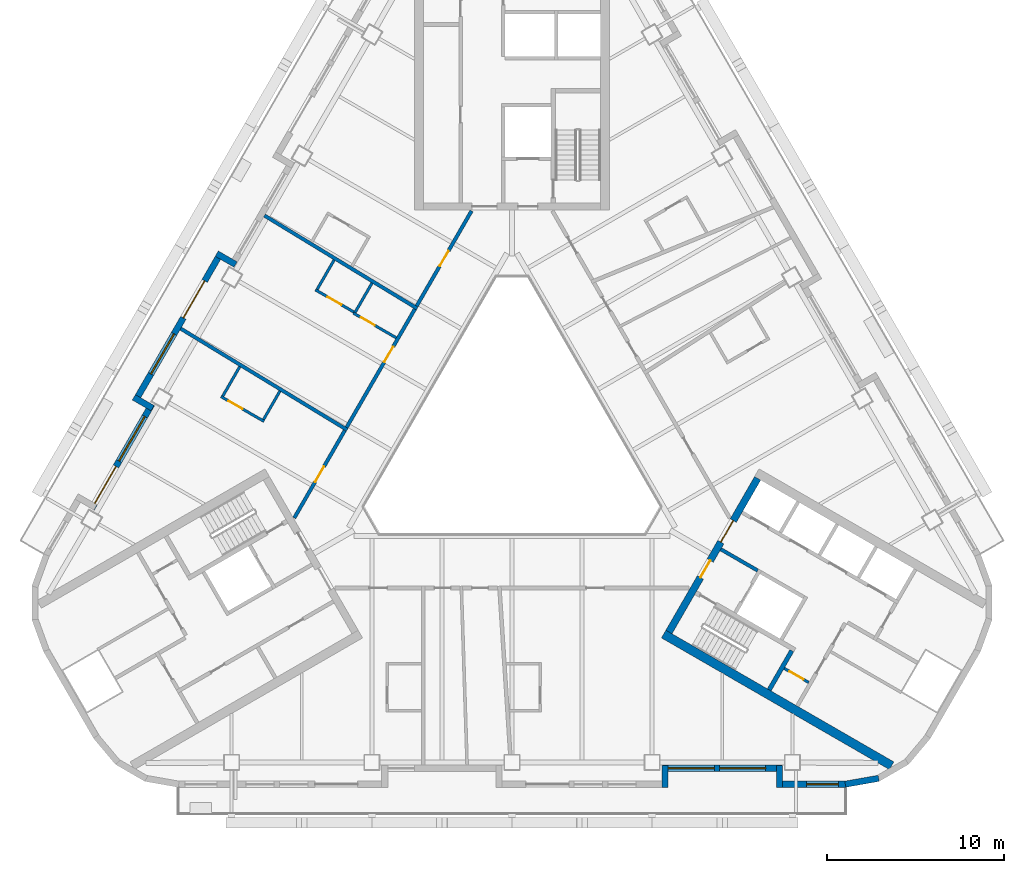
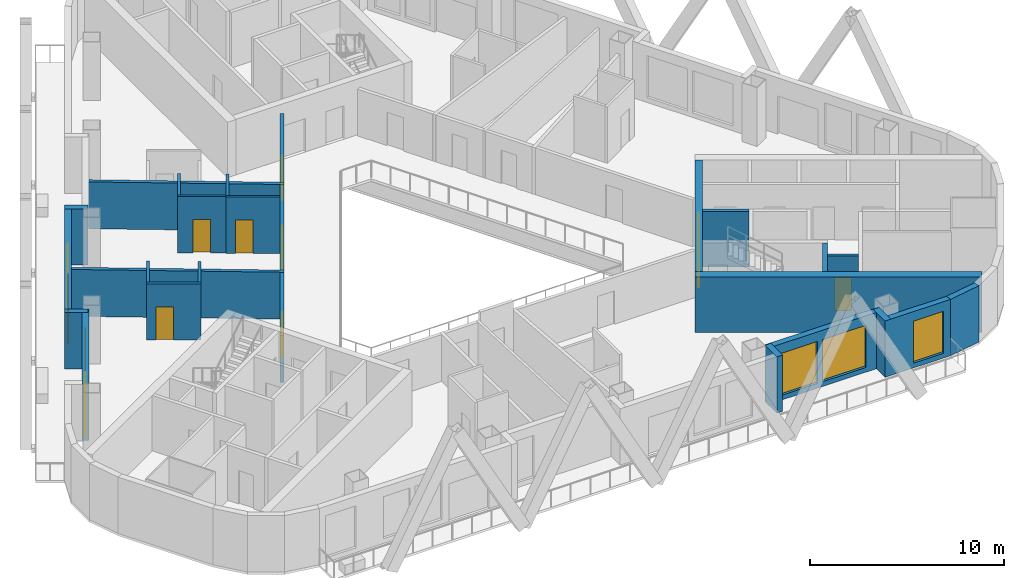
# One storey, part 4 of 13: 26 walls, 11 doors, 5 windows, 16 openings.
"""IFC4 building model written with IfcOpenShell, lengths in metres."""

from ifc_helpers import new_model, si_unit, direction, frame, frame_2d, origin, place, context, subcontext, project, spatial, rectangle, extrude, material, layer, layer_set, type_object, element, fill, save


model = new_model("IFC4")

# Units and contexts
model_context = context("Model", 3, precision=1e-05, world=origin(), true_north=direction((0.0, 1.0)))
body_context = subcontext(model_context, "Body", "Model", "MODEL_VIEW")
ifc_project = project(units=[si_unit("LENGTHUNIT", "METRE"), si_unit("AREAUNIT", "SQUARE_METRE"), si_unit("VOLUMEUNIT", "CUBIC_METRE"), si_unit("PLANEANGLEUNIT", "RADIAN"), si_unit("MASSUNIT", "GRAM", prefix="KILO")], contexts=[model_context])

# Site, building, storey
site_placement = place(None, origin())
site = spatial("IfcSite", under=ifc_project, at=site_placement, CompositionType="ELEMENT")
building_placement = place(site_placement, origin())
building = spatial("IfcBuilding", under=site, at=building_placement, Name="Apuvela Tower Hotel", CompositionType="ELEMENT")
storey_placement = place(building_placement, frame((0.0, 0.0, 105.699951171875)))
storey = spatial("IfcBuildingStorey", under=building, at=storey_placement, Name="L24", CompositionType="ELEMENT", Elevation=105.699951171875)

# Wall, openings, doors
ifc_material_1 = material(Name="Concrete C50/60", Category="concrete")
ifc_layer_1 = layer(ifc_material_1, 0.39990234375)
ifc_layer_set_1 = layer_set([ifc_layer_1], Name="COR-WALL-CORE-400")
wall_type_1 = type_object("IfcWallType", Name="COR-WALL-CORE-400", PredefinedType="SHEAR", material=ifc_layer_set_1)
wall_1_placement = place(storey_placement, frame((8.844970703125, -10.880126953125, 0.0), z_axis=(0.0, 0.0, 1.0), x_axis=(0.500004234368, 0.866022959057, 0.0)))
wall_1 = element("IfcWall", 1, at=wall_1_placement, inside=storey, type_object=wall_type_1, Name="Core wall SE", PredefinedType="SHEAR", context=body_context, shape_type="SweptSolid", body=[
    extrude(rectangle(XDim=10.0, YDim=0.39990234375, at=frame_2d((5.0, 0.0))), origin(), (0.0, 0.0, 1.0), 3.5),
])
opening_1_placement = place(wall_1_placement, frame((3.550048828125, 0.0, 0.0)))
opening_1 = element("IfcOpeningElement", 2, at=opening_1_placement, cuts=wall_1, Name="Opening E-FD", PredefinedType="OPENING", context=body_context, shape_type="SweptSolid", body=[
    extrude(rectangle(XDim=1.10009765625, YDim=2.10009765625, at=frame_2d((0.550048828125, 1.050048828125))), frame((0.0, 0.2099609375, 0.0), z_axis=(0.0, -1.0, 0.0), x_axis=(1.0, 0.0, 0.0)), (0.0, 0.0, 1.0), 0.419921875),
])
opening_2_placement = place(wall_1_placement, frame((5.85009765625, 0.0, 0.0)))
opening_2 = element("IfcOpeningElement", 3, at=opening_2_placement, cuts=wall_1, Name="Opening E-GD", PredefinedType="OPENING", context=body_context, shape_type="SweptSolid", body=[
    extrude(rectangle(XDim=1.39990234375, YDim=2.10009765625, at=frame_2d((0.699951171875, 1.050048828125))), frame((0.0, 0.2099609375, 0.0), z_axis=(0.0, -1.0, 0.0), x_axis=(1.0, 0.0, 0.0)), (0.0, 0.0, 1.0), 0.419921875),
])
ifc_material_2 = material(Name="Steel fire door, powder coated", Category="steel")
door_type_1 = type_object("IfcDoorType", Name="COR-FD-1100", OperationType="NOTDEFINED", PredefinedType="DOOR", material=ifc_material_2)
door_1_placement = place(opening_1_placement, frame((1.10009765625, 0.0, 0.0), z_axis=(0.0, 0.0, 1.0), x_axis=(-1.0, 0.0, 0.0)))
door_1 = element("IfcDoor", 4, at=door_1_placement, inside=storey, type_object=door_type_1, Name="Firefighting lobby door E-FD", OperationType="SINGLE_SWING_LEFT", OverallHeight=2.10009765625, OverallWidth=1.10009765625, PredefinedType="DOOR", context=body_context, shape_type="SweptSolid", body=[
    extrude(rectangle(XDim=1.10009765625, YDim=2.10009765625, at=frame_2d((0.550048828125, 1.050048828125))), frame((0.0, 0.02490234375, 0.0), z_axis=(0.0, -1.0, 0.0), x_axis=(1.0, 0.0, 0.0)), (0.0, 0.0, 1.0), 0.050048828125),
])
fill(opening_1, door_1)
ifc_material_3 = material(Name="Glazed steel fire door", Category="steel")
door_type_2 = type_object("IfcDoorType", Name="COR-GD-1400", OperationType="DOUBLE_DOOR_SINGLE_SWING", PredefinedType="DOOR", material=ifc_material_3)
door_2_placement = place(opening_2_placement, frame((1.39990234375, 0.0, 0.0), z_axis=(0.0, 0.0, 1.0), x_axis=(-1.0, 0.0, 0.0)))
door_2 = element("IfcDoor", 5, at=door_2_placement, inside=storey, type_object=door_type_2, Name="Lift lobby door E-GD", OperationType="DOUBLE_DOOR_SINGLE_SWING", OverallHeight=2.10009765625, OverallWidth=1.39990234375, PredefinedType="DOOR", context=body_context, shape_type="SweptSolid", body=[
    extrude(rectangle(XDim=1.39990234375, YDim=2.10009765625, at=frame_2d((0.699951171875, 1.050048828125))), frame((0.0, 0.02490234375, 0.0), z_axis=(0.0, -1.0, 0.0), x_axis=(1.0, 0.0, 0.0)), (0.0, 0.0, 1.0), 0.050048828125),
])
fill(opening_2, door_2)

# Wall
ifc_layer_2 = layer(ifc_material_1, 0.5)
ifc_layer_set_2 = layer_set([ifc_layer_2], Name="COR-WALL-CORE-500")
wall_type_2 = type_object("IfcWallType", Name="COR-WALL-CORE-500", PredefinedType="SHEAR", material=ifc_layer_set_2)
wall_2_placement = place(storey_placement, frame((8.546630859375, -10.99658203125, 0.0), z_axis=(0.0, 0.0, 1.0), x_axis=(0.866025009528, -0.500000682871, 0.0)))
element("IfcWall", 6, at=wall_2_placement, inside=storey, type_object=wall_type_2, Name="Core wall SE", PredefinedType="SHEAR", context=body_context, shape_type="SweptSolid", body=[
    extrude(rectangle(XDim=14.8369140625, YDim=0.5, at=frame_2d((7.41845703125, 0.0))), origin(), (0.0, 0.0, 1.0), 3.5),
])

# Wall, opening, door
ifc_material_4 = material(Name="Blockwork 150 mm plastered", Category="masonry")
ifc_layer_3 = layer(ifc_material_4, 0.14990234375)
ifc_layer_set_3 = layer_set([ifc_layer_3], Name="COR-WALL-PART-150")
wall_type_3 = type_object("IfcWallType", Name="COR-WALL-PART-150", PredefinedType="PARTITIONING", material=ifc_layer_set_3)
wall_3_placement = place(storey_placement, frame((15.341552734375, -12.927734375, 0.0), z_axis=(0.0, 0.0, 1.0), x_axis=(0.865989903783, -0.500061482766, 0.0)))
wall_3 = element("IfcWall", 7, at=wall_3_placement, inside=storey, type_object=wall_type_3, Name="Partition SE", PredefinedType="PARTITIONING", context=body_context, shape_type="SweptSolid", body=[
    extrude(rectangle(XDim=1.599853515625, YDim=0.14990234375, at=frame_2d((0.7998046875, 0.0))), origin(), (0.0, 0.0, 1.0), 3.5),
])
opening_3_placement = place(wall_3_placement, frame((0.35009765625, 0.0, 0.0)))
opening_3 = element("IfcOpeningElement", 8, at=opening_3_placement, cuts=wall_3, Name="Opening E-RD", PredefinedType="OPENING", context=body_context, shape_type="SweptSolid", body=[
    extrude(rectangle(XDim=0.89990234375, YDim=2.10009765625, at=frame_2d((0.449951171875, 1.050048828125))), frame((0.0, 0.0849609375, 0.0), z_axis=(0.0, -1.0, 0.0), x_axis=(1.0, 0.0, 0.0)), (0.0, 0.0, 1.0), 0.169921875),
])
ifc_material_5 = material(Name="Steel access door, powder coated", Category="steel")
door_type_3 = type_object("IfcDoorType", Name="COR-RD-900", OperationType="NOTDEFINED", PredefinedType="DOOR", material=ifc_material_5)
door_3_placement = place(opening_3_placement, frame((0.89990234375, 0.0, 0.0), z_axis=(0.0, 0.0, 1.0), x_axis=(-1.0, 0.0, 0.0)))
door_3 = element("IfcDoor", 9, at=door_3_placement, inside=storey, type_object=door_type_3, Name="Riser door E-RD", OperationType="SINGLE_SWING_LEFT", OverallHeight=2.10009765625, OverallWidth=0.89990234375, PredefinedType="DOOR", context=body_context, shape_type="SweptSolid", body=[
    extrude(rectangle(XDim=0.89990234375, YDim=2.10009765625, at=frame_2d((0.449951171875, 1.050048828125))), frame((0.0, 0.02490234375, 0.0), z_axis=(0.0, -1.0, 0.0), x_axis=(1.0, 0.0, 0.0)), (0.0, 0.0, 1.0), 0.050048828125),
])
fill(opening_3, door_3)

# Walls
ifc_layer_4 = layer(ifc_material_1, 0.199951171875)
ifc_layer_set_4 = layer_set([ifc_layer_4], Name="COR-WALL-SHAFT-200")
wall_type_4 = type_object("IfcWallType", Name="COR-WALL-SHAFT-200", PredefinedType="SHEAR", material=ifc_layer_set_4)
wall_4_placement = place(storey_placement, frame((11.76806640625, -6.217041015625, 0.0), z_axis=(0.0, 0.0, 1.0), x_axis=(0.866050077142, -0.499957262057, 0.0)))
element("IfcWall", 10, at=wall_4_placement, inside=storey, type_object=wall_type_4, Name="Shaft wall SE", PredefinedType="SHEAR", context=body_context, shape_type="SweptSolid", body=[
    extrude(rectangle(XDim=2.400146484375, YDim=0.199951171875, at=frame_2d((1.2001953125, 0.0))), origin(), (0.0, 0.0, 1.0), 3.5),
])
ifc_layer_5 = layer(ifc_material_1, 0.25)
ifc_layer_set_5 = layer_set([ifc_layer_5], Name="COR-WALL-STAIR-250")
wall_type_5 = type_object("IfcWallType", Name="COR-WALL-STAIR-250", PredefinedType="SHEAR", material=ifc_layer_set_5)
wall_5_placement = place(storey_placement, frame((14.49560546875, -14.142578125, 0.0), z_axis=(0.0, 0.0, 1.0), x_axis=(0.500062241894, 0.865989465428, 0.0)))
element("IfcWall", 11, at=wall_5_placement, inside=storey, type_object=wall_type_5, Name="Stair wall SE", PredefinedType="SHEAR", context=body_context, shape_type="SweptSolid", body=[
    extrude(rectangle(XDim=2.550048828125, YDim=0.25, at=frame_2d((1.27490234375, 0.0))), origin(), (0.0, 0.0, 1.0), 3.5),
])
ifc_material_6 = material(Name="Concrete C40/50, dark pigmented precast panel", Category="concrete")
ifc_layer_6 = layer(ifc_material_6, 0.35009765625)
ifc_layer_set_6 = layer_set([ifc_layer_6], Name="ENV-WALL-350")
wall_type_6 = type_object("IfcWallType", Name="ENV-WALL-350", PredefinedType="SOLIDWALL", material=ifc_layer_set_6)
wall_6_placement = place(storey_placement, frame((-15.580810546875, 9.8330078125, 0.0), z_axis=(0.0, 0.0, 1.0), x_axis=(-0.866055662726, 0.499947586314, 0.0)))
element("IfcWall", 12, at=wall_6_placement, inside=storey, type_object=wall_type_6, Name="External wall L24-04", PredefinedType="SOLIDWALL", context=body_context, shape_type="SweptSolid", body=[
    extrude(rectangle(XDim=1.220458984375, YDim=0.35009765625, at=frame_2d((0.6103515625, 0.0))), origin(), (0.0, 0.0, 1.0), 3.550048828125),
])

# Wall, openings, door, window
wall_7_placement = place(storey_placement, frame((-16.3984375, 10.507080078125, 0.0), z_axis=(0.0, 0.0, 1.0), x_axis=(-0.499999142773, -0.866025898704, 0.0)))
wall_7 = element("IfcWall", 13, at=wall_7_placement, inside=storey, type_object=wall_type_6, Name="External wall L24-05", PredefinedType="SOLIDWALL", context=body_context, shape_type="SweptSolid", body=[
    extrude(rectangle(XDim=9.7001953125, YDim=0.35009765625, at=frame_2d((4.85009765625, 0.0))), origin(), (0.0, 0.0, 1.0), 3.550048828125),
])
opening_4_placement = place(wall_7_placement, frame((1.85009765625, 0.0, 0.0)))
opening_4 = element("IfcOpeningElement", 14, at=opening_4_placement, cuts=wall_7, Name="Opening BD24", PredefinedType="OPENING", context=body_context, shape_type="SweptSolid", body=[
    extrude(rectangle(XDim=2.39990234375, YDim=2.39990234375, at=frame_2d((1.199951171875, 1.199951171875))), frame((0.0, 0.18505859375, 0.0), z_axis=(0.0, -1.0, 0.0), x_axis=(1.0, 0.0, 0.0)), (0.0, 0.0, 1.0), 0.3701171875),
])
opening_5_placement = place(wall_7_placement, frame((5.2998046875, 0.0, 0.300048828125)))
opening_5 = element("IfcOpeningElement", 15, at=opening_5_placement, cuts=wall_7, Name="Opening WN26", PredefinedType="OPENING", context=body_context, shape_type="SweptSolid", body=[
    extrude(rectangle(XDim=2.60009765625, YDim=2.64990234375, at=frame_2d((1.300048828125, 1.324951171875))), frame((0.0, 0.18505859375, 0.0), z_axis=(0.0, -1.0, 0.0), x_axis=(1.0, 0.0, 0.0)), (0.0, 0.0, 1.0), 0.3701171875),
])
ifc_material_7 = material(Name="Aluminium 6063-T6, dark bronze anodised frame with dark tinted laminated glass", Category="aluminium")
door_type_4 = type_object("IfcDoorType", Name="ENV-DOOR-BALCONY-2400x2400", OperationType="SLIDING_TO_LEFT", PredefinedType="DOOR", material=ifc_material_7)
door_4_placement = place(opening_4_placement, frame((2.39990234375, 0.0, 0.0), z_axis=(0.0, 0.0, 1.0), x_axis=(-1.0, 0.0, 0.0)))
door_4 = element("IfcDoor", 16, at=door_4_placement, inside=storey, type_object=door_type_4, Name="Balcony door BD24", OperationType="SLIDING_TO_LEFT", OverallHeight=2.39990234375, OverallWidth=2.39990234375, PredefinedType="DOOR", context=body_context, shape_type="SweptSolid", body=[
    extrude(rectangle(XDim=2.39990234375, YDim=2.39990234375, at=frame_2d((1.199951171875, 1.199951171875))), frame((0.0, 0.02490234375, 0.0), z_axis=(0.0, -1.0, 0.0), x_axis=(1.0, 0.0, 0.0)), (0.0, 0.0, 1.0), 0.050048828125),
])
fill(opening_4, door_4)
ifc_material_8 = material(Name="Glass, dark tinted laminated insulated glazing unit", Category="glass")
window_type_1 = type_object("IfcWindowType", Name="ENV-WIN-2600x2650", PartitioningType="SINGLE_PANEL", PredefinedType="WINDOW", material=ifc_material_8)
window_1_placement = place(opening_5_placement, origin())
window_1 = element("IfcWindow", 17, at=window_1_placement, inside=storey, type_object=window_type_1, Name="Window WN26", OverallHeight=2.64990234375, OverallWidth=2.60009765625, PartitioningType="SINGLE_PANEL", PredefinedType="WINDOW", context=body_context, shape_type="SweptSolid", body=[
    extrude(rectangle(XDim=2.60009765625, YDim=2.64990234375, at=frame_2d((1.300048828125, 1.324951171875))), frame((0.0, 0.030029296875, 0.0), z_axis=(0.0, -1.0, 0.0), x_axis=(1.0, 0.0, 0.0)), (0.0, 0.0, 1.0), 0.06005859375),
])
fill(opening_5, window_1)

# Wall
wall_8_placement = place(storey_placement, frame((-21.3125, 2.345703125, 0.0), z_axis=(0.0, 0.0, 1.0), x_axis=(0.866005645448, -0.500034220881, 0.0)))
element("IfcWall", 18, at=wall_8_placement, inside=storey, type_object=wall_type_6, Name="External wall L24-06", PredefinedType="SOLIDWALL", context=body_context, shape_type="SweptSolid", body=[
    extrude(rectangle(XDim=1.22021484375, YDim=0.35009765625, at=frame_2d((0.610107421875, 0.0))), origin(), (0.0, 0.0, 1.0), 3.550048828125),
])

# Wall, openings, door, window
wall_9_placement = place(storey_placement, frame((-20.30908203125, 1.93359375, 0.0), z_axis=(0.0, 0.0, 1.0), x_axis=(-0.499992114976, -0.866029956157, 0.0)))
wall_9 = element("IfcWall", 19, at=wall_9_placement, inside=storey, type_object=wall_type_6, Name="External wall L24-07", PredefinedType="SOLIDWALL", context=body_context, shape_type="SweptSolid", body=[
    extrude(rectangle(XDim=6.73974609375, YDim=0.35009765625, at=frame_2d((3.369873046875, 0.0))), origin(), (0.0, 0.0, 1.0), 3.550048828125),
])
opening_6_placement = place(wall_9_placement, frame((4.02001953125, 0.0, 0.0)))
opening_6 = element("IfcOpeningElement", 20, at=opening_6_placement, cuts=wall_9, Name="Opening BD24", PredefinedType="OPENING", context=body_context, shape_type="SweptSolid", body=[
    extrude(rectangle(XDim=2.39990234375, YDim=2.39990234375, at=frame_2d((1.199951171875, 1.199951171875))), frame((0.0, 0.18505859375, 0.0), z_axis=(0.0, -1.0, 0.0), x_axis=(1.0, 0.0, 0.0)), (0.0, 0.0, 1.0), 0.3701171875),
])
opening_7_placement = place(wall_9_placement, frame((0.77001953125, 0.0, 0.300048828125)))
opening_7 = element("IfcOpeningElement", 21, at=opening_7_placement, cuts=wall_9, Name="Opening WN29", PredefinedType="OPENING", context=body_context, shape_type="SweptSolid", body=[
    extrude(rectangle(XDim=2.89990234375, YDim=2.64990234375, at=frame_2d((1.449951171875, 1.324951171875))), frame((0.0, 0.18505859375, 0.0), z_axis=(0.0, -1.0, 0.0), x_axis=(1.0, 0.0, 0.0)), (0.0, 0.0, 1.0), 0.3701171875),
])
door_5_placement = place(opening_6_placement, frame((2.39990234375, 0.0, 0.0), z_axis=(0.0, 0.0, 1.0), x_axis=(-1.0, 0.0, 0.0)))
door_5 = element("IfcDoor", 22, at=door_5_placement, inside=storey, type_object=door_type_4, Name="Balcony door BD24", OperationType="SLIDING_TO_LEFT", OverallHeight=2.39990234375, OverallWidth=2.39990234375, PredefinedType="DOOR", context=body_context, shape_type="SweptSolid", body=[
    extrude(rectangle(XDim=2.39990234375, YDim=2.39990234375, at=frame_2d((1.199951171875, 1.199951171875))), frame((0.0, 0.02490234375, 0.0), z_axis=(0.0, -1.0, 0.0), x_axis=(1.0, 0.0, 0.0)), (0.0, 0.0, 1.0), 0.050048828125),
])
fill(opening_6, door_5)
window_type_2 = type_object("IfcWindowType", Name="ENV-WIN-2900x2650", PartitioningType="SINGLE_PANEL", PredefinedType="WINDOW", material=ifc_material_8)
window_2_placement = place(opening_7_placement, origin())
window_2 = element("IfcWindow", 23, at=window_2_placement, inside=storey, type_object=window_type_2, Name="Window WN29", OverallHeight=2.64990234375, OverallWidth=2.89990234375, PartitioningType="SINGLE_PANEL", PredefinedType="WINDOW", context=body_context, shape_type="SweptSolid", body=[
    extrude(rectangle(XDim=2.89990234375, YDim=2.64990234375, at=frame_2d((1.449951171875, 1.324951171875))), frame((0.0, 0.030029296875, 0.0), z_axis=(0.0, -1.0, 0.0), x_axis=(1.0, 0.0, 0.0)), (0.0, 0.0, 1.0), 0.06005859375),
])
fill(opening_7, window_2)

# Wall
wall_10_placement = place(storey_placement, frame((8.625, -19.6298828125, 0.0), z_axis=(0.0, 0.0, 1.0), x_axis=(0.0, 1.0, 0.0)))
element("IfcWall", 24, at=wall_10_placement, inside=storey, type_object=wall_type_6, Name="External wall L24-22", PredefinedType="SOLIDWALL", context=body_context, shape_type="SweptSolid", body=[
    extrude(rectangle(XDim=1.219970703125, YDim=0.35009765625, at=frame_2d((0.60986328125, 0.0))), origin(), (0.0, 0.0, 1.0), 3.550048828125),
])

# Wall, openings, windows
wall_11_placement = place(storey_placement, frame((8.47998046875, -18.554931640625, 0.0), z_axis=(0.0, 0.0, 1.0), x_axis=(1.0, 0.0, 0.0)))
wall_11 = element("IfcWall", 25, at=wall_11_placement, inside=storey, type_object=wall_type_6, Name="External wall L24-23", PredefinedType="SOLIDWALL", context=body_context, shape_type="SweptSolid", body=[
    extrude(rectangle(XDim=6.739990234375, YDim=0.35009765625, at=frame_2d((3.3701171875, 0.0))), origin(), (0.0, 0.0, 1.0), 3.550048828125),
])
opening_8_placement = place(wall_11_placement, frame((0.3203125, 0.0, 0.300048828125)))
opening_8 = element("IfcOpeningElement", 26, at=opening_8_placement, cuts=wall_11, Name="Opening WN26", PredefinedType="OPENING", context=body_context, shape_type="SweptSolid", body=[
    extrude(rectangle(XDim=2.60009765625, YDim=2.64990234375, at=frame_2d((1.300048828125, 1.324951171875))), frame((0.0, 0.18505859375, 0.0), z_axis=(0.0, -1.0, 0.0), x_axis=(1.0, 0.0, 0.0)), (0.0, 0.0, 1.0), 0.3701171875),
])
opening_9_placement = place(wall_11_placement, frame((3.22021484375, 0.0, 0.300048828125)))
opening_9 = element("IfcOpeningElement", 27, at=opening_9_placement, cuts=wall_11, Name="Opening WN26", PredefinedType="OPENING", context=body_context, shape_type="SweptSolid", body=[
    extrude(rectangle(XDim=2.60009765625, YDim=2.64990234375, at=frame_2d((1.300048828125, 1.324951171875))), frame((0.0, 0.18505859375, 0.0), z_axis=(0.0, -1.0, 0.0), x_axis=(1.0, 0.0, 0.0)), (0.0, 0.0, 1.0), 0.3701171875),
])
window_3_placement = place(opening_8_placement, origin())
window_3 = element("IfcWindow", 28, at=window_3_placement, inside=storey, type_object=window_type_1, Name="Window WN26", OverallHeight=2.64990234375, OverallWidth=2.60009765625, PartitioningType="SINGLE_PANEL", PredefinedType="WINDOW", context=body_context, shape_type="SweptSolid", body=[
    extrude(rectangle(XDim=2.60009765625, YDim=2.64990234375, at=frame_2d((1.300048828125, 1.324951171875))), frame((0.0, 0.030029296875, 0.0), z_axis=(0.0, -1.0, 0.0), x_axis=(1.0, 0.0, 0.0)), (0.0, 0.0, 1.0), 0.06005859375),
])
fill(opening_8, window_3)
window_4_placement = place(opening_9_placement, origin())
window_4 = element("IfcWindow", 29, at=window_4_placement, inside=storey, type_object=window_type_1, Name="Window WN26", OverallHeight=2.64990234375, OverallWidth=2.60009765625, PartitioningType="SINGLE_PANEL", PredefinedType="WINDOW", context=body_context, shape_type="SweptSolid", body=[
    extrude(rectangle(XDim=2.60009765625, YDim=2.64990234375, at=frame_2d((1.300048828125, 1.324951171875))), frame((0.0, 0.030029296875, 0.0), z_axis=(0.0, -1.0, 0.0), x_axis=(1.0, 0.0, 0.0)), (0.0, 0.0, 1.0), 0.06005859375),
])
fill(opening_9, window_4)

# Wall
wall_12_placement = place(storey_placement, frame((15.074951171875, -18.409912109375, 0.0), z_axis=(0.0, 0.0, 1.0), x_axis=(0.0, -1.0, 0.0)))
element("IfcWall", 30, at=wall_12_placement, inside=storey, type_object=wall_type_6, Name="External wall L24-24", PredefinedType="SOLIDWALL", context=body_context, shape_type="SweptSolid", body=[
    extrude(rectangle(XDim=1.219970703125, YDim=0.35009765625, at=frame_2d((0.60986328125, 0.0))), origin(), (0.0, 0.0, 1.0), 3.550048828125),
])

# Wall, opening, window
wall_13_placement = place(storey_placement, frame((14.89990234375, -19.455078125, 0.0), z_axis=(0.0, 0.0, 1.0), x_axis=(1.0, 0.0, 0.0)))
wall_13 = element("IfcWall", 31, at=wall_13_placement, inside=storey, type_object=wall_type_6, Name="External wall L24-25", PredefinedType="SOLIDWALL", context=body_context, shape_type="SweptSolid", body=[
    extrude(rectangle(XDim=3.916015625, YDim=0.35009765625, at=frame_2d((1.9580078125, 0.0))), origin(), (0.0, 0.0, 1.0), 3.550048828125),
])
opening_10_placement = place(wall_13_placement, frame((1.699951171875, 0.0, 0.300048828125)))
opening_10 = element("IfcOpeningElement", 32, at=opening_10_placement, cuts=wall_13, Name="Opening WN18", PredefinedType="OPENING", context=body_context, shape_type="SweptSolid", body=[
    extrude(rectangle(XDim=1.800048828125, YDim=2.64990234375, at=frame_2d((0.89990234375, 1.324951171875))), frame((0.0, 0.18505859375, 0.0), z_axis=(0.0, -1.0, 0.0), x_axis=(1.0, 0.0, 0.0)), (0.0, 0.0, 1.0), 0.3701171875),
])
window_type_3 = type_object("IfcWindowType", Name="ENV-WIN-1800x2650", PartitioningType="SINGLE_PANEL", PredefinedType="WINDOW", material=ifc_material_8)
window_5_placement = place(opening_10_placement, origin())
window_5 = element("IfcWindow", 33, at=window_5_placement, inside=storey, type_object=window_type_3, Name="Window WN18", OverallHeight=2.64990234375, OverallWidth=1.800048828125, PartitioningType="SINGLE_PANEL", PredefinedType="WINDOW", context=body_context, shape_type="SweptSolid", body=[
    extrude(rectangle(XDim=1.800048828125, YDim=2.64990234375, at=frame_2d((0.89990234375, 1.324951171875))), frame((0.0, 0.030029296875, 0.0), z_axis=(0.0, -1.0, 0.0), x_axis=(1.0, 0.0, 0.0)), (0.0, 0.0, 1.0), 0.06005859375),
])
fill(opening_10, window_5)

# Walls
wall_14_placement = place(storey_placement, frame((18.785400390625, -19.457763671875, 0.0), z_axis=(0.0, 0.0, 1.0), x_axis=(0.984798995425, 0.173697837091, 0.0)))
element("IfcWall", 34, at=wall_14_placement, inside=storey, type_object=wall_type_6, Name="External wall L24-26", PredefinedType="SOLIDWALL", context=body_context, shape_type="SweptSolid", body=[
    extrude(rectangle(XDim=1.91015625, YDim=0.35009765625, at=frame_2d((0.955078125, 0.0))), origin(), (0.0, 0.0, 1.0), 3.550048828125),
])
ifc_material_9 = material(Name="Gypsum board partition on twin steel stud", Category="steel")
ifc_layer_7 = layer(ifc_material_9, 0.199951171875)
ifc_layer_set_7 = layer_set([ifc_layer_7], Name="GST-PW1")
wall_type_7 = type_object("IfcWallType", Name="GST-PW1", PredefinedType="PARTITIONING", material=ifc_layer_set_7)
wall_15_placement = place(storey_placement, frame((-13.952880859375, 12.5927734375, 0.0), z_axis=(0.0, 0.0, 1.0), x_axis=(0.854198088033, -0.519947715065, 0.0)))
element("IfcWall", 35, at=wall_15_placement, inside=storey, type_object=wall_type_7, Name="L24 partition 05", PredefinedType="PARTITIONING", context=body_context, shape_type="SweptSolid", body=[
    extrude(rectangle(XDim=10.08251953125, YDim=0.199951171875, at=frame_2d((5.041259765625, 0.0))), origin(), (0.0, 0.0, 1.0), 2.949951171875),
])
wall_16_placement = place(storey_placement, frame((-18.672119140625, 6.21923828125, 0.0), z_axis=(0.0, 0.0, 1.0), x_axis=(0.854207998877, -0.519931432647, 0.0)))
element("IfcWall", 36, at=wall_16_placement, inside=storey, type_object=wall_type_7, Name="L24 partition 06", PredefinedType="PARTITIONING", context=body_context, shape_type="SweptSolid", body=[
    extrude(rectangle(XDim=10.983154296875, YDim=0.199951171875, at=frame_2d((5.49169921875, 0.0))), origin(), (0.0, 0.0, 1.0), 2.949951171875),
])

# Wall, opening, door
ifc_material_10 = material(Name="Gypsum board corridor wall on twin steel stud, acoustic", Category="steel")
ifc_layer_8 = layer(ifc_material_10, 0.199951171875)
ifc_layer_set_8 = layer_set([ifc_layer_8], Name="GST-PW2")
wall_type_8 = type_object("IfcWallType", Name="GST-PW2", PredefinedType="PARTITIONING", material=ifc_layer_set_8)
wall_17_placement = place(storey_placement, frame((-5.375732421875, 7.489013671875, 0.0), z_axis=(0.0, 0.0, 1.0), x_axis=(0.499998977725, 0.866025993994, 0.0)))
wall_17 = element("IfcWall", 37, at=wall_17_placement, inside=storey, type_object=wall_type_8, Name="L24 partition 29", PredefinedType="PARTITIONING", context=body_context, shape_type="SweptSolid", body=[
    extrude(rectangle(XDim=6.1904296875, YDim=0.199951171875, at=frame_2d((3.09521484375, 0.0))), origin(), (0.0, 0.0, 1.0), 2.949951171875),
])
opening_11_placement = place(wall_17_placement, frame((2.59521484375, 0.0, 0.0)))
opening_11 = element("IfcOpeningElement", 38, at=opening_11_placement, cuts=wall_17, Name="Opening GD08-14", PredefinedType="OPENING", context=body_context, shape_type="SweptSolid", body=[
    extrude(rectangle(XDim=1.0, YDim=2.10009765625, at=frame_2d((0.5, 1.050048828125))), frame((0.0, 0.10986328125, 0.0), z_axis=(0.0, -1.0, 0.0), x_axis=(1.0, 0.0, 0.0)), (0.0, 0.0, 1.0), 0.219970703125),
])
ifc_material_11 = material(Name="Timber door leaf in steel frame", Category="steel")
door_type_5 = type_object("IfcDoorType", Name="GST-D1", OperationType="NOTDEFINED", PredefinedType="DOOR", material=ifc_material_11)
door_6_placement = place(opening_11_placement, origin())
door_6 = element("IfcDoor", 39, at=door_6_placement, inside=storey, type_object=door_type_5, Name="Door L24-14", OperationType="SINGLE_SWING_LEFT", OverallHeight=2.10009765625, OverallWidth=1.0, PredefinedType="DOOR", context=body_context, shape_type="SweptSolid", body=[
    extrude(rectangle(XDim=1.0, YDim=2.10009765625, at=frame_2d((0.5, 1.050048828125))), frame((0.0, 0.02490234375, 0.0), z_axis=(0.0, -1.0, 0.0), x_axis=(1.0, 0.0, 0.0)), (0.0, 0.0, 1.0), 0.050048828125),
])
fill(opening_11, door_6)

wall_18_placement = place(storey_placement, frame((-9.32568359375, 0.647216796875, 0.0), z_axis=(0.0, 0.0, 1.0), x_axis=(0.499982277793, 0.866035635464, 0.0)))
wall_18 = element("IfcWall", 40, at=wall_18_placement, inside=storey, type_object=wall_type_8, Name="L24 partition 33", PredefinedType="PARTITIONING", context=body_context, shape_type="SweptSolid", body=[
    extrude(rectangle(XDim=7.699951171875, YDim=0.199951171875, at=frame_2d((3.85009765625, 0.0))), origin(), (0.0, 0.0, 1.0), 2.949951171875),
])
opening_12_placement = place(wall_18_placement, frame((4.252197265625, 0.0, 0.0)))
opening_12 = element("IfcOpeningElement", 41, at=opening_12_placement, cuts=wall_18, Name="Opening GD08-17", PredefinedType="OPENING", context=body_context, shape_type="SweptSolid", body=[
    extrude(rectangle(XDim=1.0, YDim=2.10009765625, at=frame_2d((0.5, 1.050048828125))), frame((0.0, 0.10986328125, 0.0), z_axis=(0.0, -1.0, 0.0), x_axis=(1.0, 0.0, 0.0)), (0.0, 0.0, 1.0), 0.219970703125),
])
door_7_placement = place(opening_12_placement, origin())
door_7 = element("IfcDoor", 42, at=door_7_placement, inside=storey, type_object=door_type_5, Name="Door L24-17", OperationType="SINGLE_SWING_LEFT", OverallHeight=2.10009765625, OverallWidth=1.0, PredefinedType="DOOR", context=body_context, shape_type="SweptSolid", body=[
    extrude(rectangle(XDim=1.0, YDim=2.10009765625, at=frame_2d((0.5, 1.050048828125))), frame((0.0, 0.02490234375, 0.0), z_axis=(0.0, -1.0, 0.0), x_axis=(1.0, 0.0, 0.0)), (0.0, 0.0, 1.0), 0.050048828125),
])
fill(opening_12, door_7)

wall_19_placement = place(storey_placement, frame((-12.268798828125, -4.449951171875, 0.0), z_axis=(0.0, 0.0, 1.0), x_axis=(0.50001360338, 0.866017549727, 0.0)))
wall_19 = element("IfcWall", 43, at=wall_19_placement, inside=storey, type_object=wall_type_8, Name="L24 partition 38", PredefinedType="PARTITIONING", context=body_context, shape_type="SweptSolid", body=[
    extrude(rectangle(XDim=5.685791015625, YDim=0.199951171875, at=frame_2d((2.8427734375, 0.0))), origin(), (0.0, 0.0, 1.0), 2.949951171875),
])
opening_13_placement = place(wall_19_placement, frame((2.343017578125, 0.0, 0.0)))
opening_13 = element("IfcOpeningElement", 44, at=opening_13_placement, cuts=wall_19, Name="Opening GD08-19", PredefinedType="OPENING", context=body_context, shape_type="SweptSolid", body=[
    extrude(rectangle(XDim=1.0, YDim=2.10009765625, at=frame_2d((0.5, 1.050048828125))), frame((0.0, 0.10986328125, 0.0), z_axis=(0.0, -1.0, 0.0), x_axis=(1.0, 0.0, 0.0)), (0.0, 0.0, 1.0), 0.219970703125),
])
door_8_placement = place(opening_13_placement, origin())
door_8 = element("IfcDoor", 45, at=door_8_placement, inside=storey, type_object=door_type_5, Name="Door L24-19", OperationType="SINGLE_SWING_RIGHT", OverallHeight=2.10009765625, OverallWidth=1.0, PredefinedType="DOOR", context=body_context, shape_type="SweptSolid", body=[
    extrude(rectangle(XDim=1.0, YDim=2.10009765625, at=frame_2d((0.5, 1.050048828125))), frame((0.0, 0.02490234375, 0.0), z_axis=(0.0, -1.0, 0.0), x_axis=(1.0, 0.0, 0.0)), (0.0, 0.0, 1.0), 0.050048828125),
])
fill(opening_13, door_8)

ifc_material_12 = material(Name="Moisture-resistant gypsum board wet wall on steel stud", Category="steel")
ifc_layer_9 = layer(ifc_material_12, 0.14990234375)
ifc_layer_set_9 = layer_set([ifc_layer_9], Name="GST-PW3")
wall_type_9 = type_object("IfcWallType", Name="GST-PW3", PredefinedType="PARTITIONING", material=ifc_layer_set_9)
wall_20_placement = place(storey_placement, frame((-8.948486328125, 7.1005859375, 0.0), z_axis=(0.0, 0.0, 1.0), x_axis=(0.866034573852, -0.49998411664, 0.0)))
wall_20 = element("IfcWall", 46, at=wall_20_placement, inside=storey, type_object=wall_type_9, Name="L24 partition 34", PredefinedType="PARTITIONING", context=body_context, shape_type="SweptSolid", body=[
    extrude(rectangle(XDim=2.7998046875, YDim=0.14990234375, at=frame_2d((1.39990234375, 0.0))), origin(), (0.0, 0.0, 1.0), 3.550048828125),
])
opening_14_placement = place(wall_20_placement, frame((0.5, 0.0, 0.0)))
opening_14 = element("IfcOpeningElement", 47, at=opening_14_placement, cuts=wall_20, Name="Opening GD08-15", PredefinedType="OPENING", context=body_context, shape_type="SweptSolid", body=[
    extrude(rectangle(XDim=0.89990234375, YDim=2.10009765625, at=frame_2d((0.449951171875, 1.050048828125))), frame((0.0, 0.0849609375, 0.0), z_axis=(0.0, -1.0, 0.0), x_axis=(1.0, 0.0, 0.0)), (0.0, 0.0, 1.0), 0.169921875),
])
door_type_6 = type_object("IfcDoorType", Name="GST-D2", OperationType="NOTDEFINED", PredefinedType="DOOR", material=ifc_material_11)
door_9_placement = place(opening_14_placement, origin())
door_9 = element("IfcDoor", 48, at=door_9_placement, inside=storey, type_object=door_type_6, Name="Door L24-15", OperationType="SINGLE_SWING_LEFT", OverallHeight=2.10009765625, OverallWidth=0.89990234375, PredefinedType="DOOR", context=body_context, shape_type="SweptSolid", body=[
    extrude(rectangle(XDim=0.89990234375, YDim=2.10009765625, at=frame_2d((0.449951171875, 1.050048828125))), frame((0.0, 0.02490234375, 0.0), z_axis=(0.0, -1.0, 0.0), x_axis=(1.0, 0.0, 0.0)), (0.0, 0.0, 1.0), 0.050048828125),
])
fill(opening_14, door_9)

# Wall
wall_21_placement = place(storey_placement, frame((-7.8896484375, 8.784912109375, 0.0), z_axis=(0.0, 0.0, 1.0), x_axis=(-0.499954417993, -0.866051718969, 0.0)))
element("IfcWall", 49, at=wall_21_placement, inside=storey, type_object=wall_type_9, Name="L24 partition 35", PredefinedType="PARTITIONING", context=body_context, shape_type="SweptSolid", body=[
    extrude(rectangle(XDim=1.913330078125, YDim=0.14990234375, at=frame_2d((0.95654296875, 0.0))), origin(), (0.0, 0.0, 1.0), 3.550048828125),
])

# Wall, opening, door
wall_22_placement = place(storey_placement, frame((-11.081298828125, 8.40673828125, 0.0), z_axis=(0.0, 0.0, 1.0), x_axis=(0.866047370643, -0.499961950354, 0.0)))
wall_22 = element("IfcWall", 50, at=wall_22_placement, inside=storey, type_object=wall_type_9, Name="L24 partition 36", PredefinedType="PARTITIONING", context=body_context, shape_type="SweptSolid", body=[
    extrude(rectangle(XDim=2.500244140625, YDim=0.14990234375, at=frame_2d((1.25, 0.0))), origin(), (0.0, 0.0, 1.0), 3.550048828125),
])
opening_15_placement = place(wall_22_placement, frame((0.800048828125, 0.0, 0.0)))
opening_15 = element("IfcOpeningElement", 51, at=opening_15_placement, cuts=wall_22, Name="Opening GD08-16", PredefinedType="OPENING", context=body_context, shape_type="SweptSolid", body=[
    extrude(rectangle(XDim=0.89990234375, YDim=2.10009765625, at=frame_2d((0.449951171875, 1.050048828125))), frame((0.0, 0.0849609375, 0.0), z_axis=(0.0, -1.0, 0.0), x_axis=(1.0, 0.0, 0.0)), (0.0, 0.0, 1.0), 0.169921875),
])
door_10_placement = place(opening_15_placement, origin())
door_10 = element("IfcDoor", 52, at=door_10_placement, inside=storey, type_object=door_type_6, Name="Door L24-16", OperationType="SINGLE_SWING_LEFT", OverallHeight=2.10009765625, OverallWidth=0.89990234375, PredefinedType="DOOR", context=body_context, shape_type="SweptSolid", body=[
    extrude(rectangle(XDim=0.89990234375, YDim=2.10009765625, at=frame_2d((0.449951171875, 1.050048828125))), frame((0.0, 0.02490234375, 0.0), z_axis=(0.0, -1.0, 0.0), x_axis=(1.0, 0.0, 0.0)), (0.0, 0.0, 1.0), 0.050048828125),
])
fill(opening_15, door_10)

# Wall
wall_23_placement = place(storey_placement, frame((-10.025634765625, 10.085205078125, 0.0), z_axis=(0.0, 0.0, 1.0), x_axis=(-0.49999591573, -0.866027761826, 0.0)))
element("IfcWall", 53, at=wall_23_placement, inside=storey, type_object=wall_type_9, Name="L24 partition 37", PredefinedType="PARTITIONING", context=body_context, shape_type="SweptSolid", body=[
    extrude(rectangle(XDim=1.90625, YDim=0.14990234375, at=frame_2d((0.953125, 0.0))), origin(), (0.0, 0.0, 1.0), 3.550048828125),
])

# Wall, opening, door
wall_24_placement = place(storey_placement, frame((-16.40185546875, 2.391357421875, 0.0), z_axis=(0.0, 0.0, 1.0), x_axis=(0.866018616679, -0.500011755427, 0.0)))
wall_24 = element("IfcWall", 54, at=wall_24_placement, inside=storey, type_object=wall_type_9, Name="L24 partition 39", PredefinedType="PARTITIONING", context=body_context, shape_type="SweptSolid", body=[
    extrude(rectangle(XDim=2.80029296875, YDim=0.14990234375, at=frame_2d((1.400146484375, 0.0))), origin(), (0.0, 0.0, 1.0), 3.550048828125),
])
opening_16_placement = place(wall_24_placement, frame((0.5, 0.0, 0.0)))
opening_16 = element("IfcOpeningElement", 55, at=opening_16_placement, cuts=wall_24, Name="Opening GD08-18", PredefinedType="OPENING", context=body_context, shape_type="SweptSolid", body=[
    extrude(rectangle(XDim=0.89990234375, YDim=2.10009765625, at=frame_2d((0.449951171875, 1.050048828125))), frame((0.0, 0.0849609375, 0.0), z_axis=(0.0, -1.0, 0.0), x_axis=(1.0, 0.0, 0.0)), (0.0, 0.0, 1.0), 0.169921875),
])
door_11_placement = place(opening_16_placement, origin())
door_11 = element("IfcDoor", 56, at=door_11_placement, inside=storey, type_object=door_type_6, Name="Door L24-18", OperationType="SINGLE_SWING_LEFT", OverallHeight=2.10009765625, OverallWidth=0.89990234375, PredefinedType="DOOR", context=body_context, shape_type="SweptSolid", body=[
    extrude(rectangle(XDim=0.89990234375, YDim=2.10009765625, at=frame_2d((0.449951171875, 1.050048828125))), frame((0.0, 0.02490234375, 0.0), z_axis=(0.0, -1.0, 0.0), x_axis=(1.0, 0.0, 0.0)), (0.0, 0.0, 1.0), 0.050048828125),
])
fill(opening_16, door_11)

# Walls
wall_25_placement = place(storey_placement, frame((-15.3427734375, 4.07568359375, 0.0), z_axis=(0.0, 0.0, 1.0), x_axis=(-0.499954417993, -0.866051718969, 0.0)))
element("IfcWall", 57, at=wall_25_placement, inside=storey, type_object=wall_type_9, Name="L24 partition 40", PredefinedType="PARTITIONING", context=body_context, shape_type="SweptSolid", body=[
    extrude(rectangle(XDim=1.913330078125, YDim=0.14990234375, at=frame_2d((0.95654296875, 0.0))), origin(), (0.0, 0.0, 1.0), 3.550048828125),
])
wall_26_placement = place(storey_placement, frame((-13.07861328125, 2.697509765625, 0.0), z_axis=(0.0, 0.0, 1.0), x_axis=(-0.499939294285, -0.866060449409, 0.0)))
element("IfcWall", 58, at=wall_26_placement, inside=storey, type_object=wall_type_9, Name="L24 partition 41", PredefinedType="PARTITIONING", context=body_context, shape_type="SweptSolid", body=[
    extrude(rectangle(XDim=1.851806640625, YDim=0.14990234375, at=frame_2d((0.92578125, 0.0))), origin(), (0.0, 0.0, 1.0), 3.550048828125),
])

save(model, "model.ifc")
